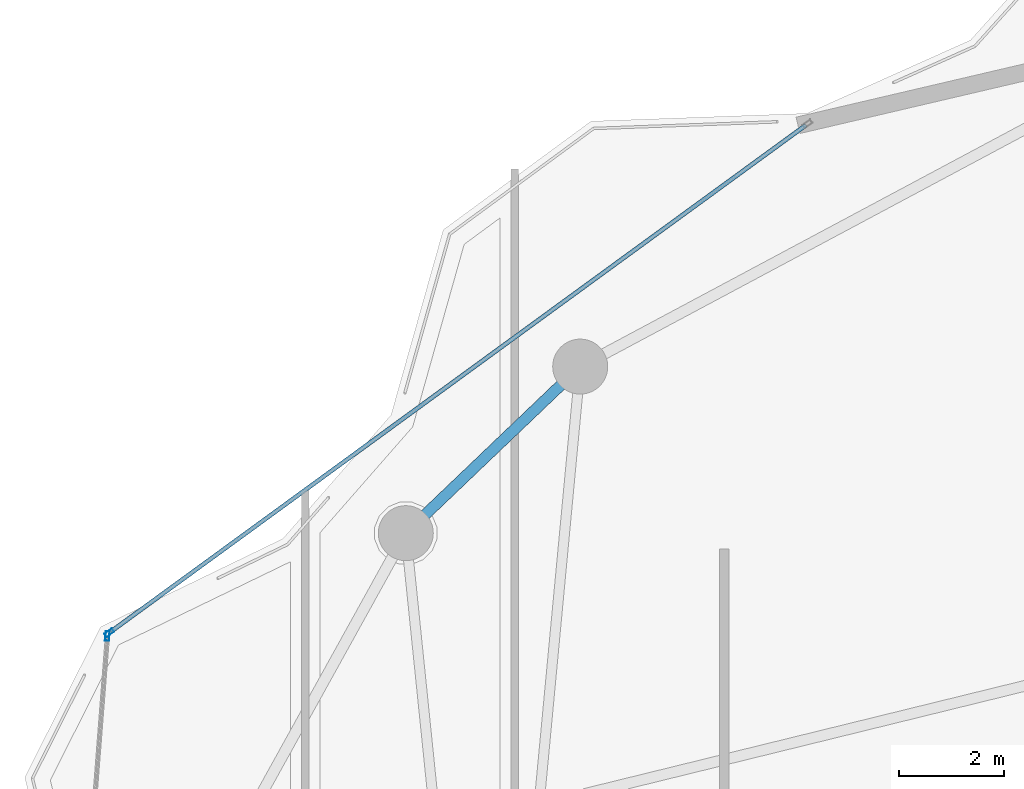
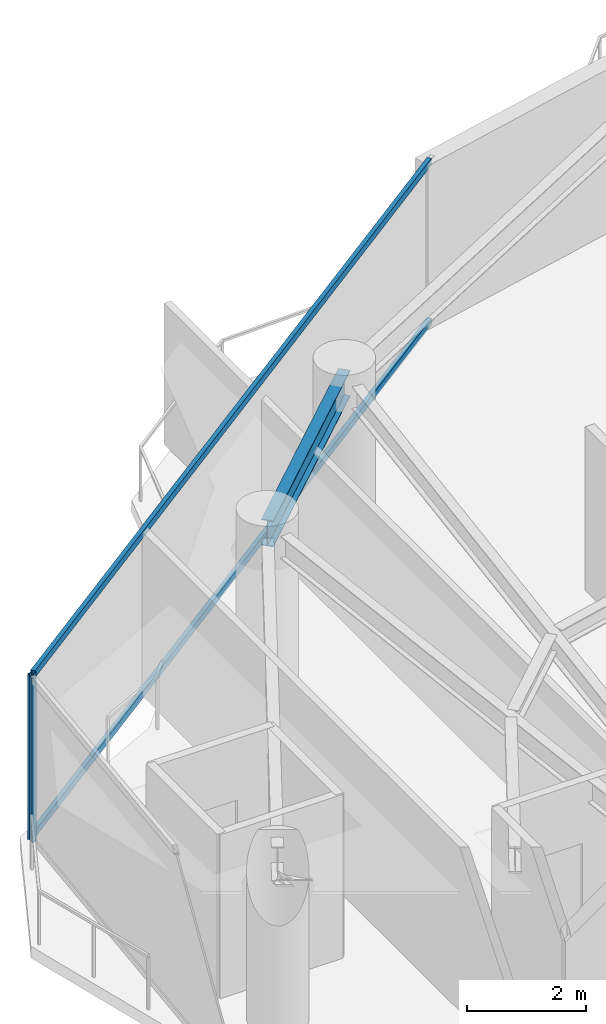
# One storey, part 17 of 31: 4 members, 1 beam, 2 elements without a shape of their own.
"""IFC4 building model written with IfcOpenShell, lengths in metres."""

import ifcopenshell
import ifcopenshell.guid

model = None  # the IFC model being written
_history = None  # IfcOwnerHistory: only IFC2X3 demands one
_inside = {}  # id of a spatial element -> (the spatial element, [elements in it])
_under = {}  # id of a project, library or spatial element -> (it, [spatial elements below it])
_declared = {}  # id of a project -> (the project, [libraries it declares])
_typed = {}  # id of a type object -> (the type object, [elements of that type])
_made_of = {}  # id of a material, layer set ... -> (it, [elements and type objects made of it])


def new_model(schema):
    """Start an empty IFC model of exactly this schema.

    Asked for "IFC4X3", IfcOpenShell would pick the latest addendum, in which some entities
    have other attributes; the version numbers below select the first issue.
    IFC2X3 requires an IfcOwnerHistory on every rooted entity: one is made here for all.
    """
    global model, _history
    if schema == "IFC4X3":
        model = ifcopenshell.file(schema_version=(4, 3, 0, 0))
    else:
        model = ifcopenshell.file(schema=schema)
    _inside.clear()
    _under.clear()
    _declared.clear()
    _typed.clear()
    _made_of.clear()
    _history = None
    if model.schema == "IFC2X3":
        org = make("IfcOrganization", Name="unknown")
        user = make(
            "IfcPersonAndOrganization",
            ThePerson=make("IfcPerson", FamilyName="unknown"),
            TheOrganization=org,
        )
        app = make(
            "IfcApplication",
            ApplicationDeveloper=org,
            Version="unknown",
            ApplicationFullName="unknown",
            ApplicationIdentifier="unknown",
        )
        _history = make(
            "IfcOwnerHistory",
            OwningUser=user,
            OwningApplication=app,
            ChangeAction="ADDED",
            CreationDate=0,
        )
    return model


def make(cls, **values):
    """One entity of the class cls with the attributes given. An attribute that is None is left unset."""
    return model.create_entity(
        cls, **{name: value for name, value in values.items() if value is not None}
    )


def rooted(cls, **values):
    """An entity with a GlobalId (a new one), such as an element, a storey or a relation."""
    return make(cls, GlobalId=ifcopenshell.guid.new(), OwnerHistory=_history, **values)


def si_unit(unit_type, name, prefix=None):
    """IfcSIUnit, for example si_unit("LENGTHUNIT", "METRE", prefix="MILLI")."""
    return make("IfcSIUnit", UnitType=unit_type, Prefix=prefix, Name=name)


def assignment(units):
    """IfcUnitAssignment: the units of a project."""
    return None if units is None else make("IfcUnitAssignment", Units=units)


def point(xyz):
    """IfcCartesianPoint."""
    return None if xyz is None else make("IfcCartesianPoint", Coordinates=xyz)


def direction(xyz):
    """IfcDirection."""
    return None if xyz is None else make("IfcDirection", DirectionRatios=xyz)


def frame(location, z_axis=None, x_axis=None):
    """IfcAxis2Placement3D, a coordinate frame: its origin and axes. An axis left out is left unset."""
    return make(
        "IfcAxis2Placement3D",
        Location=point(location),
        Axis=direction(z_axis),
        RefDirection=direction(x_axis),
    )


def frame_2d(location, x_axis=None):
    """IfcAxis2Placement2D, a coordinate frame in the plane: its origin and x axis."""
    return make(
        "IfcAxis2Placement2D", Location=point(location), RefDirection=direction(x_axis)
    )


def origin():
    """The frame at (0, 0, 0) with its axes left unset."""
    return frame((0.0, 0.0, 0.0))


def origin_2d():
    """The frame at (0, 0) in the plane with its x axis left unset."""
    return frame_2d((0.0, 0.0))


def place(relative_to, where):
    """IfcLocalPlacement: puts the frame where relative to a parent placement (None: the world)."""
    return make(
        "IfcLocalPlacement", PlacementRelTo=relative_to, RelativePlacement=where
    )


def context(
    kind, dimensions, precision=None, world=None, true_north=None, identifier=None
):
    """IfcGeometricRepresentationContext, for example the 3D "Model" context."""
    return make(
        "IfcGeometricRepresentationContext",
        ContextIdentifier=identifier,
        ContextType=kind,
        CoordinateSpaceDimension=dimensions,
        Precision=precision,
        WorldCoordinateSystem=world,
        TrueNorth=true_north,
    )


def subcontext(parent, identifier, kind, view, scale=None):
    """IfcGeometricRepresentationSubContext, for example "Body" below "Model"."""
    return make(
        "IfcGeometricRepresentationSubContext",
        ContextIdentifier=identifier,
        ContextType=kind,
        ParentContext=parent,
        TargetScale=scale,
        TargetView=view,
    )


def project(units=None, contexts=None):
    """IfcProject with its units and contexts."""
    return rooted(
        "IfcProject",
        Name="project",
        RepresentationContexts=contexts,
        UnitsInContext=assignment(units),
    )


def spatial(cls, under=None, at=None, **own):
    """A site, building, storey or space (cls), placed at a placement, below another one or the project."""
    s = rooted(cls, ObjectPlacement=at, **own)
    if under is not None:
        _under.setdefault(under.id(), (under, []))[1].append(s)
    return s


def profile(cls, at=None, kind="AREA", **sizes):
    """A parametric profile (cls). Its sizes go by their IFC names, for example OverallWidth=200.0."""
    return make(cls, ProfileType=kind, Position=at, **sizes)


def hollow_rectangle(**sizes):
    """IfcRectangleHollowProfileDef."""
    return profile("IfcRectangleHollowProfileDef", **sizes)


def i_section(**sizes):
    """IfcIShapeProfileDef."""
    return profile("IfcIShapeProfileDef", **sizes)


def extrude(swept, where, along, depth):
    """IfcExtrudedAreaSolid: the profile swept, set in the frame where, extruded along a direction by depth."""
    return make(
        "IfcExtrudedAreaSolid",
        SweptArea=swept,
        Position=where,
        ExtrudedDirection=direction(along),
        Depth=depth,
    )


def shape(context_of_items, identifier, shape_type, items):
    """IfcShapeRepresentation: the items that make up one representation, for example the "Body"."""
    return make(
        "IfcShapeRepresentation",
        ContextOfItems=context_of_items,
        RepresentationIdentifier=identifier,
        RepresentationType=shape_type,
        Items=items,
    )


def material(Name=None, Category=None):
    """IfcMaterial."""
    return make("IfcMaterial", Name=Name, Category=Category)


def layer(
    of_material, thickness, ventilated=None, Name=None, Category=None, Priority=None
):
    """IfcMaterialLayer: one layer of a wall or slab, of a material (None: an air gap)."""
    return make(
        "IfcMaterialLayer",
        Material=of_material,
        LayerThickness=thickness,
        IsVentilated=ventilated,
        Name=Name,
        Category=Category,
        Priority=Priority,
    )


def layer_set(layers, Name=None):
    """IfcMaterialLayerSet."""
    return make("IfcMaterialLayerSet", MaterialLayers=layers, LayerSetName=Name)


def material_profile(
    of_material, cross_section, Name=None, Category=None, Priority=None
):
    """IfcMaterialProfile: a cross section and its material."""
    return make(
        "IfcMaterialProfile",
        Name=Name,
        Material=of_material,
        Profile=cross_section,
        Priority=Priority,
        Category=Category,
    )


def profile_set(profiles, Name=None, composite=None):
    """IfcMaterialProfileSet."""
    return make(
        "IfcMaterialProfileSet",
        Name=Name,
        MaterialProfiles=profiles,
        CompositeProfile=composite,
    )


def made_of(thing, what):
    """Note that an element or type object is made of a material, layer set ...; save() writes the relation."""
    if what is not None:
        _made_of.setdefault(what.id(), (what, []))[1].append(thing)
    return thing


def type_object(cls, material=None, **own):
    """A type object (cls), such as IfcWallType, which elements share."""
    return made_of(rooted(cls, **own), material)


def element(
    cls,
    number,
    at=None,
    inside=None,
    cuts=None,
    type_object=None,
    material=None,
    context=None,
    identifier="Body",
    shape_type=None,
    held_by="IfcProductDefinitionShape",
    body=None,
    shapes=None,
    **own,
):
    """One element of the class cls, such as IfcWall. Its Tag is "e" and its number.

    at: its placement. inside: the storey or other place that contains it. cuts: it is an
    opening in that element (IfcRelVoidsElement). A single representation is given by context,
    identifier, shape_type and body (its items); several are given by shapes. held_by: the class
    of the entity that holds the representations. save() writes the other relations.
    """
    e = rooted(cls, Tag="e%d" % number, ObjectPlacement=at, **own)
    if body is not None:
        shapes = [shape(context, identifier, shape_type, body)]
    if shapes is not None:
        e.Representation = make(held_by, Representations=shapes)
    if inside is not None:
        _inside.setdefault(inside.id(), (inside, []))[1].append(e)
    if cuts is not None:
        rooted(
            "IfcRelVoidsElement", RelatingBuildingElement=cuts, RelatedOpeningElement=e
        )
    if type_object is not None:
        _typed.setdefault(type_object.id(), (type_object, []))[1].append(e)
    return made_of(e, material)


def aggregate(whole, parts):
    """IfcRelAggregates: a whole, such as a stair, and the parts it consists of."""
    return rooted("IfcRelAggregates", RelatingObject=whole, RelatedObjects=parts)


def save(model, path):
    """Write the relations noted so far, then the file.

    IfcRelAggregates (storeys below a building ...), IfcRelContainedInSpatialStructure (elements
    in a storey), IfcRelDefinesByType, IfcRelAssociatesMaterial and IfcRelDeclares: one each for
    every whole, place, type object, material and project.
    """
    for whole, parts in _under.values():
        aggregate(whole, parts)
    for where, things in _inside.values():
        rooted(
            "IfcRelContainedInSpatialStructure",
            RelatedElements=things,
            RelatingStructure=where,
        )
    for kind, things in _typed.values():
        rooted("IfcRelDefinesByType", RelatedObjects=things, RelatingType=kind)
    for what, things in _made_of.values():
        rooted("IfcRelAssociatesMaterial", RelatedObjects=things, RelatingMaterial=what)
    for by, libraries in _declared.values():
        rooted("IfcRelDeclares", RelatingContext=by, RelatedDefinitions=libraries)
    model.write(path)


model = new_model("IFC4")

# Units and contexts
model_context = context("Model", 3, precision=1e-05, world=origin(), true_north=direction((0.0, 1.0)))
body_context = subcontext(model_context, "Body", "Model", "MODEL_VIEW")
ifc_project = project(units=[si_unit("LENGTHUNIT", "METRE"), si_unit("AREAUNIT", "SQUARE_METRE"), si_unit("VOLUMEUNIT", "CUBIC_METRE"), si_unit("PLANEANGLEUNIT", "RADIAN"), si_unit("MASSUNIT", "GRAM", prefix="KILO")], contexts=[model_context])

# Site, building, storey
site_placement = place(None, origin())
site = spatial("IfcSite", under=ifc_project, at=site_placement, CompositionType="ELEMENT")
building_placement = place(site_placement, origin())
building = spatial("IfcBuilding", under=site, at=building_placement, Name="Kazevale Care Tower and Concert Hall", CompositionType="ELEMENT")
storey_placement = place(building_placement, frame((0.0, 0.0, 210.0)))
storey = spatial("IfcBuildingStorey", under=building, at=storey_placement, Name="L55", CompositionType="ELEMENT", Elevation=210.0)

# Curtain wall, member
ifc_material_1 = material(Name="Aluminium 6063-T6 and Low-E Glass", Category="aluminium")
ifc_layer = layer(ifc_material_1, 0.179931640625)
ifc_layer_set = layer_set([ifc_layer], Name="Aluminium 6063-T6 and Low-E Glass")
curtain_wall_type = type_object("IfcCurtainWallType", Name="Waist & Upper Residential Curtain Wall CW-4", PredefinedType="NOTDEFINED", material=ifc_layer_set)
curtain_wall_1_placement = place(storey_placement, origin())
curtain_wall_1 = element("IfcCurtainWall", 1, at=curtain_wall_1_placement, inside=storey, type_object=curtain_wall_type, Name="cw:L55:f13", PredefinedType="NOTDEFINED")
ifc_material_2 = material(Name="Aluminium 6063-T6", Category="aluminium")
ifc_material_profile_1 = material_profile(ifc_material_2, hollow_rectangle(XDim=0.080078125, YDim=0.179931640625, WallThickness=0.0048828125, at=origin_2d()), Name="ALU80x180x5")
ifc_profile_set_1 = profile_set([ifc_material_profile_1], Name="Aluminium 6063-T6")
member_type_1 = type_object("IfcMemberType", Name="CW-4 Mullion ALU80x180x5", PredefinedType="MULLION", material=ifc_profile_set_1)
member_1_placement = place(storey_placement, frame((14.722900390625, 49.865234375, 0.0), z_axis=(0.0, 0.0, 1.0), x_axis=(-0.996989311372, 0.077539106325, 0.0)))
member_1 = element("IfcMember", 2, at=member_1_placement, type_object=member_type_1, Name="CW-4 mullion 2", PredefinedType="MULLION", context=body_context, shape_type="SweptSolid", body=[
    extrude(hollow_rectangle(XDim=0.080078125, YDim=0.179931640625, WallThickness=0.0048828125, at=origin_2d()), origin(), (0.0, 0.0, 1.0), 3.360107421875),
])
aggregate(curtain_wall_1, [member_1])

# Curtain wall, members
curtain_wall_2_placement = place(storey_placement, origin())
curtain_wall_2 = element("IfcCurtainWall", 3, at=curtain_wall_2_placement, inside=storey, type_object=curtain_wall_type, Name="cw:L55:f14", PredefinedType="NOTDEFINED")
member_2_placement = place(storey_placement, frame((14.75830078125, 49.928466796875, 0.0), z_axis=(0.0, 0.0, 1.0), x_axis=(-0.588910374145, 0.808198348937, 0.0)))
member_2 = element("IfcMember", 4, at=member_2_placement, type_object=member_type_1, Name="CW-4 mullion 1", PredefinedType="MULLION", context=body_context, shape_type="SweptSolid", body=[
    extrude(hollow_rectangle(XDim=0.080078125, YDim=0.179931640625, WallThickness=0.0048828125, at=origin_2d()), origin(), (0.0, 0.0, 1.0), 3.360107421875),
])
ifc_material_profile_2 = material_profile(ifc_material_2, hollow_rectangle(XDim=0.080078125, YDim=0.139892578125, WallThickness=0.00390625, at=origin_2d()), Name="ALU80x140x4")
ifc_profile_set_2 = profile_set([ifc_material_profile_2], Name="Aluminium 6063-T6")
member_type_2 = type_object("IfcMemberType", Name="CW-4 Transom ALU80x140x4", PredefinedType="USERDEFINED", material=ifc_profile_set_2)
member_3_placement = place(storey_placement, frame((14.790771484375, 49.9521484375, 0.0400390625), z_axis=(0.808197463946, 0.588911588672, 0.0), x_axis=(-0.588911588672, 0.808197463946, 0.0)))
member_3 = element("IfcMember", 5, at=member_3_placement, type_object=member_type_2, Name="CW-4 transom 1.1", ObjectType="TRANSOM", PredefinedType="USERDEFINED", context=body_context, shape_type="SweptSolid", body=[
    extrude(hollow_rectangle(XDim=0.080078125, YDim=0.139892578125, WallThickness=0.00390625, at=origin_2d()), origin(), (0.0, 0.0, 1.0), 16.416259765625),
])
member_4_placement = place(storey_placement, frame((14.790771484375, 49.9521484375, 3.320068359375), z_axis=(0.808197463946, 0.588911588672, 0.0), x_axis=(-0.588911588672, 0.808197463946, 0.0)))
member_4 = element("IfcMember", 6, at=member_4_placement, type_object=member_type_2, Name="CW-4 transom 1.2", ObjectType="TRANSOM", PredefinedType="USERDEFINED", context=body_context, shape_type="SweptSolid", body=[
    extrude(hollow_rectangle(XDim=0.080078125, YDim=0.139892578125, WallThickness=0.00390625, at=origin_2d()), origin(), (0.0, 0.0, 1.0), 16.416259765625),
])
aggregate(curtain_wall_2, [member_2, member_3, member_4])

# Beam
ifc_material_3 = material(Name="Steel ASTM A572 Gr 50", Category="steel")
ifc_material_profile_3 = material_profile(ifc_material_3, i_section(OverallWidth=0.208984375, OverallDepth=0.532958984375, WebThickness=0.01025390625, FlangeThickness=0.015625, at=origin_2d()), Name="W530x92")
ifc_profile_set_3 = profile_set([ifc_material_profile_3], Name="Steel ASTM A572 Gr 50")
beam_type = type_object("IfcBeamType", Name="Upper Ring Beam W530x92", PredefinedType="BEAM", material=ifc_profile_set_3)
beam_placement = place(storey_placement, frame((23.75, 55.010009765625, 3.093505859375), z_axis=(-0.723223118589, -0.690614451585, 0.0), x_axis=(0.690614451585, -0.723223118589, 0.0)))
element("IfcBeam", 7, at=beam_placement, inside=storey, type_object=beam_type, Name="beam:L55:ring:07", PredefinedType="BEAM", context=body_context, shape_type="SweptSolid", body=[
    extrude(i_section(OverallWidth=0.208984375, OverallDepth=0.532958984375, WebThickness=0.01025390625, FlangeThickness=0.015625, at=origin_2d()), origin(), (0.0, 0.0, 1.0), 4.6044921875),
])

save(model, "model.ifc")
